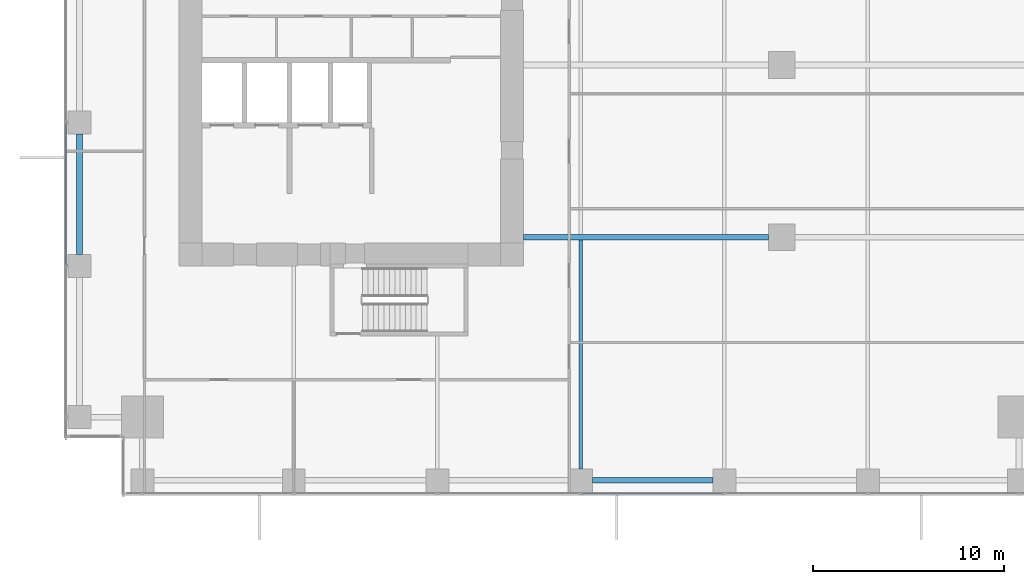
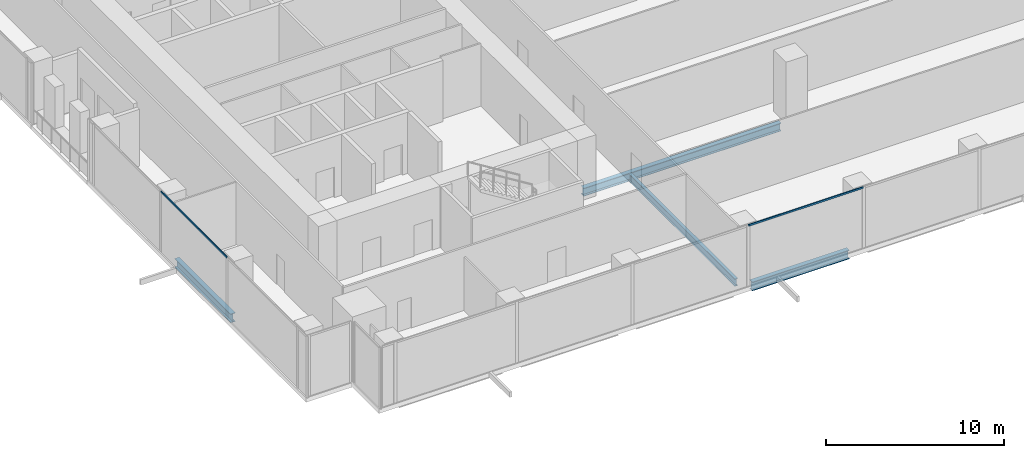
# One storey, part 4 of 32: 4 beams, 2 members, 2 elements without a shape of their own.
"""IFC4 building model written with IfcOpenShell, lengths in metres."""

from ifc_helpers import new_model, si_unit, direction, frame, origin, origin_2d, place, context, subcontext, project, spatial, hollow_rectangle, i_section, extrude, source, transform, mapped, material, material_profile, profile_set, type_object, element, aggregate, save


model = new_model("IFC4")

# Units and contexts
model_context = context("Model", 3, precision=1e-05, world=origin(), true_north=direction((0.0, 1.0)))
body_context = subcontext(model_context, "Body", "Model", "MODEL_VIEW")
ifc_project = project(units=[si_unit("LENGTHUNIT", "METRE"), si_unit("AREAUNIT", "SQUARE_METRE"), si_unit("VOLUMEUNIT", "CUBIC_METRE"), si_unit("PLANEANGLEUNIT", "RADIAN"), si_unit("MASSUNIT", "GRAM", prefix="KILO")], contexts=[model_context])

# Site, building, storey
site_placement = place(None, origin())
site = spatial("IfcSite", under=ifc_project, at=site_placement, CompositionType="ELEMENT")
building_placement = place(site_placement, origin())
building = spatial("IfcBuilding", under=site, at=building_placement, Name="Khomas Fold Tower", CompositionType="ELEMENT")
storey_placement = place(building_placement, frame((0.0, 0.0, 64.5)))
storey = spatial("IfcBuildingStorey", under=building, at=storey_placement, Name="L13", CompositionType="ELEMENT", Elevation=64.5)

# Beams
ifc_material_1 = material(Name="Steel S355", Category="steel")
ifc_material_profile_1 = material_profile(ifc_material_1, i_section(OverallWidth=0.300048828125, OverallDepth=0.550048828125, WebThickness=0.014892578125, FlangeThickness=0.029052734375, at=origin_2d()), Name="HE 550 B")
ifc_profile_set_1 = profile_set([ifc_material_profile_1], Name="Steel S355")
beam_type_1 = type_object("IfcBeamType", Name="HE 550 B beam GB4", PredefinedType="BEAM", material=ifc_profile_set_1)
shared_shape_1 = source(origin(), body_context, "Body", "SweptSolid", [
    extrude(i_section(OverallWidth=0.300048828125, OverallDepth=0.550048828125, WebThickness=0.014892578125, FlangeThickness=0.029052734375, at=origin_2d()), origin(), (0.0, 0.0, 1.0), 12.800048828125),
])
beam_1_placement = place(storey_placement, frame((24.0, 13.5, -0.574951171875), z_axis=(1.0, 0.0, 0.0), x_axis=(0.0, 1.0, 0.0)))
element("IfcBeam", 1, at=beam_1_placement, inside=storey, type_object=beam_type_1, Name="GB4", PredefinedType="BEAM", context=body_context, shape_type="MappedRepresentation", body=[
    mapped(shared_shape_1, transform((0.0, 0.0, 0.0))),
])
ifc_material_2 = material(Name="Steel S355", Category="steel")
ifc_material_profile_2 = material_profile(ifc_material_2, i_section(OverallWidth=0.300048828125, OverallDepth=0.60009765625, WebThickness=0.015380859375, FlangeThickness=0.030029296875, at=origin_2d()), Name="HE 600 B")
ifc_profile_set_2 = profile_set([ifc_material_profile_2], Name="Steel S355")
beam_type_2 = type_object("IfcBeamType", Name="HE 600 B spandrel SB1", PredefinedType="SPANDREL", material=ifc_profile_set_2)
shared_shape_2 = source(origin(), body_context, "Body", "SweptSolid", [
    extrude(i_section(OverallWidth=0.300048828125, OverallDepth=0.60009765625, WebThickness=0.015380859375, FlangeThickness=0.030029296875, at=origin_2d()), origin(), (0.0, 0.0, 1.0), 6.2998046875),
])
for number, where, z_axis, x_axis, name in (
    (2, (27.60009765625, 0.800048828125, -0.60009765625), (1.0, 0.0, 0.0), (0.0, 1.0, 0.0), "SB1"),
    (3, (0.800048828125, 12.60009765625, -0.60009765625), (0.0, 1.0, 0.0), (-1.0, 0.0, 0.0), "SB1"),
):
    element("IfcBeam", number, at=place(storey_placement, frame(where, z_axis=z_axis, x_axis=x_axis)), inside=storey, type_object=beam_type_2, Name=name, PredefinedType="SPANDREL", context=body_context, shape_type="MappedRepresentation", body=[
        mapped(shared_shape_2, transform((0.0, 0.0, 0.0))),
    ])
ifc_material_3 = material(Name="Steel S355", Category="steel")
ifc_material_profile_3 = material_profile(ifc_material_3, i_section(OverallWidth=0.199951171875, OverallDepth=0.5, WebThickness=0.01025390625, FlangeThickness=0.01611328125, at=origin_2d()), Name="IPE 500")
ifc_profile_set_3 = profile_set([ifc_material_profile_3], Name="Steel S355")
beam_type_3 = type_object("IfcBeamType", Name="IPE 500 beam JB5", PredefinedType="BEAM", material=ifc_profile_set_3)
shared_shape_3 = source(origin(), body_context, "Body", "SweptSolid", [
    extrude(i_section(OverallWidth=0.199951171875, OverallDepth=0.5, WebThickness=0.01025390625, FlangeThickness=0.01611328125, at=origin_2d()), origin(), (0.0, 0.0, 1.0), 11.9501953125),
])
beam_2_placement = place(storey_placement, frame((27.0, 1.39990234375, -0.550048828125), z_axis=(0.0, 1.0, 0.0), x_axis=(-1.0, 0.0, 0.0)))
element("IfcBeam", 4, at=beam_2_placement, inside=storey, type_object=beam_type_3, Name="JB5", PredefinedType="BEAM", context=body_context, shape_type="MappedRepresentation", body=[
    mapped(shared_shape_3, transform((0.0, 0.0, 0.0))),
])

# Curtain wall, member
ifc_material_4 = material(Name="Aluminium framed double glazing", Category="aluminium")
curtain_wall_type = type_object("IfcCurtainWallType", Name="SK-Unitised clear-glass wall, growing floors CW1", PredefinedType="NOTDEFINED", material=ifc_material_4)
curtain_wall_1_placement = place(storey_placement, origin())
curtain_wall_1 = element("IfcCurtainWall", 5, at=curtain_wall_1_placement, inside=storey, type_object=curtain_wall_type, Name="CW1 run L13 00-0", PredefinedType="NOTDEFINED")
ifc_material_5 = material(Name="Aluminium", Category="aluminium")
ifc_material_profile_4 = material_profile(ifc_material_5, hollow_rectangle(XDim=0.06005859375, YDim=0.1201171875, WallThickness=0.00390625, at=origin_2d()), Name="SK-Unitised clear-glass wall, growing floors transom CW1-T")
ifc_profile_set_4 = profile_set([ifc_material_profile_4], Name="Aluminium")
member_type = type_object("IfcMemberType", Name="SK-Unitised clear-glass wall, growing floors transom CW1-T", PredefinedType="USERDEFINED", material=ifc_profile_set_4)
shared_shape_4 = source(origin(), body_context, "Body", "SweptSolid", [
    extrude(hollow_rectangle(XDim=0.06005859375, YDim=0.1201171875, WallThickness=0.00390625, at=origin_2d()), origin(), (0.0, 0.0, 1.0), 7.43994140625),
])
member_1_placement = place(storey_placement, frame((27.030029296875, 0.10009765625, 4.139892578125), z_axis=(1.0, 0.0, 0.0), x_axis=(0.0, 1.0, 0.0)))
member_1 = element("IfcMember", 6, at=member_1_placement, type_object=member_type, Name="CW1 transom 5", ObjectType="TRANSOM", PredefinedType="USERDEFINED", context=body_context, shape_type="MappedRepresentation", body=[
    mapped(shared_shape_4, transform((0.0, 0.0, 0.0))),
])
aggregate(curtain_wall_1, [member_1])

curtain_wall_2_placement = place(storey_placement, origin())
curtain_wall_2 = element("IfcCurtainWall", 7, at=curtain_wall_2_placement, inside=storey, type_object=curtain_wall_type, Name="CW1 run L13 09-1", PredefinedType="NOTDEFINED")
member_2_placement = place(storey_placement, frame((0.10009765625, 19.469970703125, 4.139892578125), z_axis=(0.0, -1.0, 0.0), x_axis=(1.0, 0.0, 0.0)))
member_2 = element("IfcMember", 8, at=member_2_placement, type_object=member_type, Name="CW1 transom 3", ObjectType="TRANSOM", PredefinedType="USERDEFINED", context=body_context, shape_type="MappedRepresentation", body=[
    mapped(shared_shape_4, transform((0.0, 0.0, 0.0))),
])
aggregate(curtain_wall_2, [member_2])

save(model, "model.ifc")
